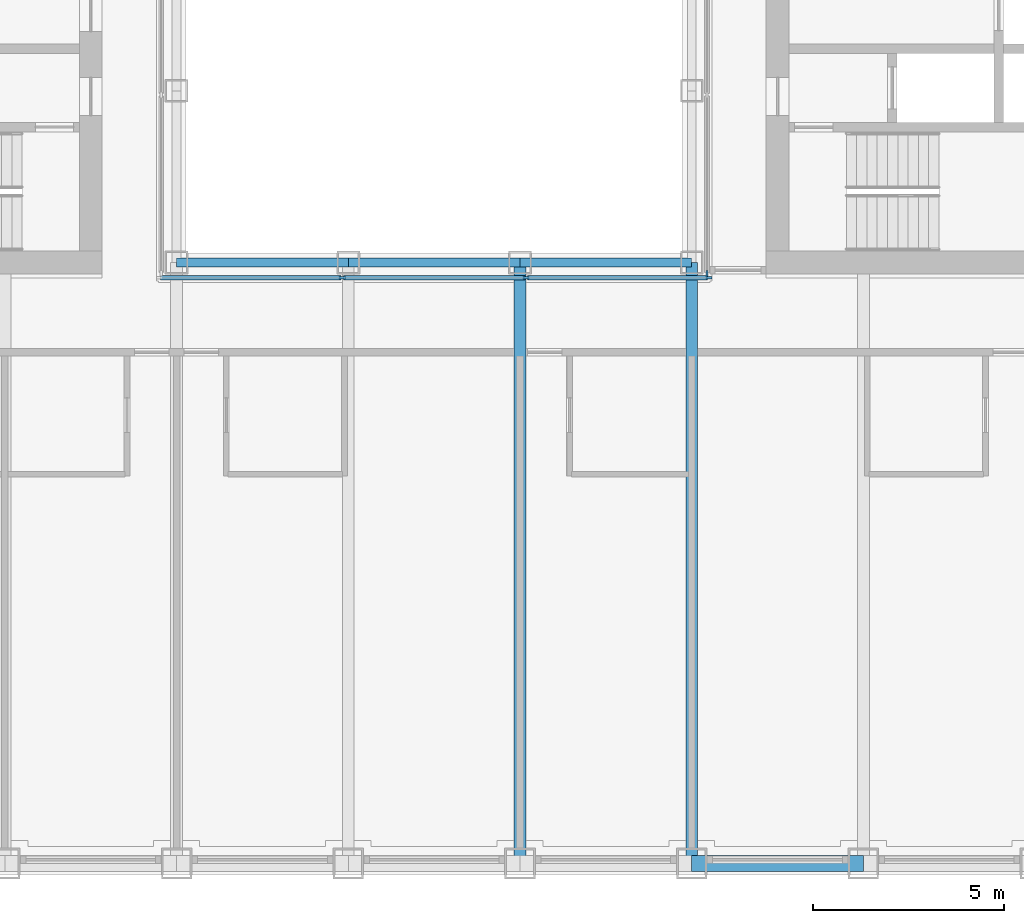
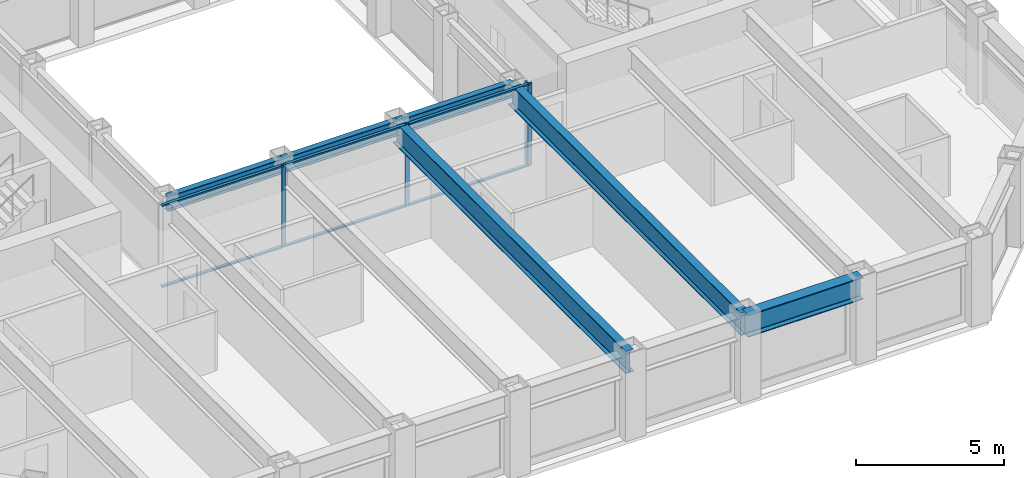
# One storey, part 3 of 17: 10 members, 6 beams, 2 elements without a shape of their own.
"""IFC4 building model written with IfcOpenShell, lengths in metres."""

import ifcopenshell
import ifcopenshell.guid

model = None  # the IFC model being written
_history = None  # IfcOwnerHistory: only IFC2X3 demands one
_inside = {}  # id of a spatial element -> (the spatial element, [elements in it])
_under = {}  # id of a project, library or spatial element -> (it, [spatial elements below it])
_declared = {}  # id of a project -> (the project, [libraries it declares])
_typed = {}  # id of a type object -> (the type object, [elements of that type])
_made_of = {}  # id of a material, layer set ... -> (it, [elements and type objects made of it])


def new_model(schema):
    """Start an empty IFC model of exactly this schema.

    Asked for "IFC4X3", IfcOpenShell would pick the latest addendum, in which some entities
    have other attributes; the version numbers below select the first issue.
    IFC2X3 requires an IfcOwnerHistory on every rooted entity: one is made here for all.
    """
    global model, _history
    if schema == "IFC4X3":
        model = ifcopenshell.file(schema_version=(4, 3, 0, 0))
    else:
        model = ifcopenshell.file(schema=schema)
    _inside.clear()
    _under.clear()
    _declared.clear()
    _typed.clear()
    _made_of.clear()
    _history = None
    if model.schema == "IFC2X3":
        org = make("IfcOrganization", Name="unknown")
        user = make(
            "IfcPersonAndOrganization",
            ThePerson=make("IfcPerson", FamilyName="unknown"),
            TheOrganization=org,
        )
        app = make(
            "IfcApplication",
            ApplicationDeveloper=org,
            Version="unknown",
            ApplicationFullName="unknown",
            ApplicationIdentifier="unknown",
        )
        _history = make(
            "IfcOwnerHistory",
            OwningUser=user,
            OwningApplication=app,
            ChangeAction="ADDED",
            CreationDate=0,
        )
    return model


def make(cls, **values):
    """One entity of the class cls with the attributes given. An attribute that is None is left unset."""
    return model.create_entity(
        cls, **{name: value for name, value in values.items() if value is not None}
    )


def rooted(cls, **values):
    """An entity with a GlobalId (a new one), such as an element, a storey or a relation."""
    return make(cls, GlobalId=ifcopenshell.guid.new(), OwnerHistory=_history, **values)


def si_unit(unit_type, name, prefix=None):
    """IfcSIUnit, for example si_unit("LENGTHUNIT", "METRE", prefix="MILLI")."""
    return make("IfcSIUnit", UnitType=unit_type, Prefix=prefix, Name=name)


def assignment(units):
    """IfcUnitAssignment: the units of a project."""
    return None if units is None else make("IfcUnitAssignment", Units=units)


def point(xyz):
    """IfcCartesianPoint."""
    return None if xyz is None else make("IfcCartesianPoint", Coordinates=xyz)


def direction(xyz):
    """IfcDirection."""
    return None if xyz is None else make("IfcDirection", DirectionRatios=xyz)


def frame(location, z_axis=None, x_axis=None):
    """IfcAxis2Placement3D, a coordinate frame: its origin and axes. An axis left out is left unset."""
    return make(
        "IfcAxis2Placement3D",
        Location=point(location),
        Axis=direction(z_axis),
        RefDirection=direction(x_axis),
    )


def frame_2d(location, x_axis=None):
    """IfcAxis2Placement2D, a coordinate frame in the plane: its origin and x axis."""
    return make(
        "IfcAxis2Placement2D", Location=point(location), RefDirection=direction(x_axis)
    )


def origin():
    """The frame at (0, 0, 0) with its axes left unset."""
    return frame((0.0, 0.0, 0.0))


def origin_2d():
    """The frame at (0, 0) in the plane with its x axis left unset."""
    return frame_2d((0.0, 0.0))


def place(relative_to, where):
    """IfcLocalPlacement: puts the frame where relative to a parent placement (None: the world)."""
    return make(
        "IfcLocalPlacement", PlacementRelTo=relative_to, RelativePlacement=where
    )


def context(
    kind, dimensions, precision=None, world=None, true_north=None, identifier=None
):
    """IfcGeometricRepresentationContext, for example the 3D "Model" context."""
    return make(
        "IfcGeometricRepresentationContext",
        ContextIdentifier=identifier,
        ContextType=kind,
        CoordinateSpaceDimension=dimensions,
        Precision=precision,
        WorldCoordinateSystem=world,
        TrueNorth=true_north,
    )


def subcontext(parent, identifier, kind, view, scale=None):
    """IfcGeometricRepresentationSubContext, for example "Body" below "Model"."""
    return make(
        "IfcGeometricRepresentationSubContext",
        ContextIdentifier=identifier,
        ContextType=kind,
        ParentContext=parent,
        TargetScale=scale,
        TargetView=view,
    )


def project(units=None, contexts=None):
    """IfcProject with its units and contexts."""
    return rooted(
        "IfcProject",
        Name="project",
        RepresentationContexts=contexts,
        UnitsInContext=assignment(units),
    )


def spatial(cls, under=None, at=None, **own):
    """A site, building, storey or space (cls), placed at a placement, below another one or the project."""
    s = rooted(cls, ObjectPlacement=at, **own)
    if under is not None:
        _under.setdefault(under.id(), (under, []))[1].append(s)
    return s


def profile(cls, at=None, kind="AREA", **sizes):
    """A parametric profile (cls). Its sizes go by their IFC names, for example OverallWidth=200.0."""
    return make(cls, ProfileType=kind, Position=at, **sizes)


def rectangle(**sizes):
    """IfcRectangleProfileDef."""
    return profile("IfcRectangleProfileDef", **sizes)


def i_section(**sizes):
    """IfcIShapeProfileDef."""
    return profile("IfcIShapeProfileDef", **sizes)


def extrude(swept, where, along, depth):
    """IfcExtrudedAreaSolid: the profile swept, set in the frame where, extruded along a direction by depth."""
    return make(
        "IfcExtrudedAreaSolid",
        SweptArea=swept,
        Position=where,
        ExtrudedDirection=direction(along),
        Depth=depth,
    )


def shape(context_of_items, identifier, shape_type, items):
    """IfcShapeRepresentation: the items that make up one representation, for example the "Body"."""
    return make(
        "IfcShapeRepresentation",
        ContextOfItems=context_of_items,
        RepresentationIdentifier=identifier,
        RepresentationType=shape_type,
        Items=items,
    )


def material(Name=None, Category=None):
    """IfcMaterial."""
    return make("IfcMaterial", Name=Name, Category=Category)


def material_profile(
    of_material, cross_section, Name=None, Category=None, Priority=None
):
    """IfcMaterialProfile: a cross section and its material."""
    return make(
        "IfcMaterialProfile",
        Name=Name,
        Material=of_material,
        Profile=cross_section,
        Priority=Priority,
        Category=Category,
    )


def profile_set(profiles, Name=None, composite=None):
    """IfcMaterialProfileSet."""
    return make(
        "IfcMaterialProfileSet",
        Name=Name,
        MaterialProfiles=profiles,
        CompositeProfile=composite,
    )


def made_of(thing, what):
    """Note that an element or type object is made of a material, layer set ...; save() writes the relation."""
    if what is not None:
        _made_of.setdefault(what.id(), (what, []))[1].append(thing)
    return thing


def type_object(cls, material=None, **own):
    """A type object (cls), such as IfcWallType, which elements share."""
    return made_of(rooted(cls, **own), material)


def element(
    cls,
    number,
    at=None,
    inside=None,
    cuts=None,
    type_object=None,
    material=None,
    context=None,
    identifier="Body",
    shape_type=None,
    held_by="IfcProductDefinitionShape",
    body=None,
    shapes=None,
    **own,
):
    """One element of the class cls, such as IfcWall. Its Tag is "e" and its number.

    at: its placement. inside: the storey or other place that contains it. cuts: it is an
    opening in that element (IfcRelVoidsElement). A single representation is given by context,
    identifier, shape_type and body (its items); several are given by shapes. held_by: the class
    of the entity that holds the representations. save() writes the other relations.
    """
    e = rooted(cls, Tag="e%d" % number, ObjectPlacement=at, **own)
    if body is not None:
        shapes = [shape(context, identifier, shape_type, body)]
    if shapes is not None:
        e.Representation = make(held_by, Representations=shapes)
    if inside is not None:
        _inside.setdefault(inside.id(), (inside, []))[1].append(e)
    if cuts is not None:
        rooted(
            "IfcRelVoidsElement", RelatingBuildingElement=cuts, RelatedOpeningElement=e
        )
    if type_object is not None:
        _typed.setdefault(type_object.id(), (type_object, []))[1].append(e)
    return made_of(e, material)


def aggregate(whole, parts):
    """IfcRelAggregates: a whole, such as a stair, and the parts it consists of."""
    return rooted("IfcRelAggregates", RelatingObject=whole, RelatedObjects=parts)


def save(model, path):
    """Write the relations noted so far, then the file.

    IfcRelAggregates (storeys below a building ...), IfcRelContainedInSpatialStructure (elements
    in a storey), IfcRelDefinesByType, IfcRelAssociatesMaterial and IfcRelDeclares: one each for
    every whole, place, type object, material and project.
    """
    for whole, parts in _under.values():
        aggregate(whole, parts)
    for where, things in _inside.values():
        rooted(
            "IfcRelContainedInSpatialStructure",
            RelatedElements=things,
            RelatingStructure=where,
        )
    for kind, things in _typed.values():
        rooted("IfcRelDefinesByType", RelatedObjects=things, RelatingType=kind)
    for what, things in _made_of.values():
        rooted("IfcRelAssociatesMaterial", RelatedObjects=things, RelatingMaterial=what)
    for by, libraries in _declared.values():
        rooted("IfcRelDeclares", RelatingContext=by, RelatedDefinitions=libraries)
    model.write(path)


model = new_model("IFC4")

# Units and contexts
model_context = context("Model", 3, precision=1e-05, world=origin(), true_north=direction((0.0, 1.0)))
body_context = subcontext(model_context, "Body", "Model", "MODEL_VIEW")
ifc_project = project(units=[si_unit("LENGTHUNIT", "METRE"), si_unit("AREAUNIT", "SQUARE_METRE"), si_unit("VOLUMEUNIT", "CUBIC_METRE"), si_unit("PLANEANGLEUNIT", "RADIAN"), si_unit("MASSUNIT", "GRAM", prefix="KILO")], contexts=[model_context])

# Site, building, storey
site_placement = place(None, origin())
site = spatial("IfcSite", under=ifc_project, at=site_placement, CompositionType="ELEMENT")
building_placement = place(site_placement, origin())
building = spatial("IfcBuilding", under=site, at=building_placement, Name="Msasa Ring Tower", CompositionType="ELEMENT")
storey_placement = place(building_placement, frame((0.0, 0.0, 143.60009765625)))
storey = spatial("IfcBuildingStorey", under=building, at=storey_placement, Name="L37", CompositionType="ELEMENT", Elevation=143.60009765625)

# Curtain wall, members
ifc_material_1 = material(Name="Aluminium curtain wall with clear glass", Category="aluminium")
curtain_wall_type = type_object("IfcCurtainWallType", Name="CW-W LIGHT WELL CURTAIN WALL", PredefinedType="NOTDEFINED", material=ifc_material_1)
curtain_wall_1_placement = place(storey_placement, origin())
curtain_wall_1 = element("IfcCurtainWall", 1, at=curtain_wall_1_placement, inside=storey, type_object=curtain_wall_type, Name="Light well curtain wall S L37", PredefinedType="NOTDEFINED")
ifc_material_2 = material(Name="Aluminium mullion", Category="aluminium")
ifc_material_profile_1 = material_profile(ifc_material_2, rectangle(XDim=0.06005859375, YDim=0.159912109375, at=origin_2d()), Name="AL 60x160")
ifc_profile_set_1 = profile_set([ifc_material_profile_1], Name="Aluminium mullion")
member_type_1 = type_object("IfcMemberType", Name="CW-W MULLION 60x160", PredefinedType="MULLION", material=ifc_profile_set_1)
member_1_placement = place(storey_placement, frame((-2.409912109375, -7.14990234375, 0.0), z_axis=(0.0, 0.0, 1.0), x_axis=(0.0, 1.0, 0.0)))
member_1 = element("IfcMember", 2, at=member_1_placement, type_object=member_type_1, Name="CW-W mullion 2", PredefinedType="MULLION", context=body_context, shape_type="SweptSolid", body=[
    extrude(rectangle(XDim=0.06005859375, YDim=0.159912109375, at=origin_2d()), origin(), (0.0, 0.0, 1.0), 3.39990234375),
])
member_2_placement = place(storey_placement, frame((2.409912109375, -7.14990234375, 0.0), z_axis=(0.0, 0.0, 1.0), x_axis=(0.0, 1.0, 0.0)))
member_2 = element("IfcMember", 3, at=member_2_placement, type_object=member_type_1, Name="CW-W mullion 3", PredefinedType="MULLION", context=body_context, shape_type="SweptSolid", body=[
    extrude(rectangle(XDim=0.06005859375, YDim=0.159912109375, at=origin_2d()), origin(), (0.0, 0.0, 1.0), 3.39990234375),
])
member_3_placement = place(storey_placement, frame((7.199951171875, -7.14990234375, 0.0), z_axis=(0.0, 0.0, 1.0), x_axis=(0.0, 1.0, 0.0)))
member_3 = element("IfcMember", 4, at=member_3_placement, type_object=member_type_1, Name="CW-W mullion 4", PredefinedType="MULLION", context=body_context, shape_type="SweptSolid", body=[
    extrude(rectangle(XDim=0.06005859375, YDim=0.159912109375, at=origin_2d()), origin(), (0.0, 0.0, 1.0), 3.39990234375),
])

# Curtain wall, member
curtain_wall_2_placement = place(storey_placement, origin())
curtain_wall_2 = element("IfcCurtainWall", 5, at=curtain_wall_2_placement, inside=storey, type_object=curtain_wall_type, Name="Light well curtain wall E L37", PredefinedType="NOTDEFINED")
member_4_placement = place(storey_placement, frame((7.14990234375, -7.0400390625, 0.0), z_axis=(0.0, 0.0, 1.0), x_axis=(-1.0, 0.0, 0.0)))
member_4 = element("IfcMember", 6, at=member_4_placement, type_object=member_type_1, Name="CW-W mullion 1", PredefinedType="MULLION", context=body_context, shape_type="SweptSolid", body=[
    extrude(rectangle(XDim=0.06005859375, YDim=0.159912109375, at=origin_2d()), origin(), (0.0, 0.0, 1.0), 3.39990234375),
])
aggregate(curtain_wall_2, [member_4])

# Member
ifc_material_3 = material(Name="Aluminium transom", Category="aluminium")
ifc_material_profile_2 = material_profile(ifc_material_3, rectangle(XDim=0.1201171875, YDim=0.06005859375, at=origin_2d()), Name="AL 60x120")
ifc_profile_set_2 = profile_set([ifc_material_profile_2], Name="Aluminium transom")
member_type_2 = type_object("IfcMemberType", Name="CW-W TRANSOM 60x120", PredefinedType="USERDEFINED", material=ifc_profile_set_2)
member_5_placement = place(storey_placement, frame((-7.169921875, -7.14990234375, 0.02978515625), z_axis=(1.0, 0.0, 0.0), x_axis=(0.0, 1.0, 0.0)))
member_5 = element("IfcMember", 7, at=member_5_placement, type_object=member_type_2, Name="CW-W transom 1.1", ObjectType="TRANSOM", PredefinedType="USERDEFINED", context=body_context, shape_type="SweptSolid", body=[
    extrude(rectangle(XDim=0.1201171875, YDim=0.06005859375, at=origin_2d()), origin(), (0.0, 0.0, 1.0), 4.72998046875),
])

member_6_placement = place(storey_placement, frame((-7.169921875, -7.14990234375, 3.369873046875), z_axis=(1.0, 0.0, 0.0), x_axis=(0.0, 1.0, 0.0)))
member_6 = element("IfcMember", 8, at=member_6_placement, type_object=member_type_2, Name="CW-W transom 1.2", ObjectType="TRANSOM", PredefinedType="USERDEFINED", context=body_context, shape_type="SweptSolid", body=[
    extrude(rectangle(XDim=0.1201171875, YDim=0.06005859375, at=origin_2d()), origin(), (0.0, 0.0, 1.0), 4.72998046875),
])

member_7_placement = place(storey_placement, frame((-2.3798828125, -7.14990234375, 0.02978515625), z_axis=(1.0, 0.0, 0.0), x_axis=(0.0, 1.0, 0.0)))
member_7 = element("IfcMember", 9, at=member_7_placement, type_object=member_type_2, Name="CW-W transom 2.1", ObjectType="TRANSOM", PredefinedType="USERDEFINED", context=body_context, shape_type="SweptSolid", body=[
    extrude(rectangle(XDim=0.1201171875, YDim=0.06005859375, at=origin_2d()), origin(), (0.0, 0.0, 1.0), 4.759765625),
])

member_8_placement = place(storey_placement, frame((-2.3798828125, -7.14990234375, 3.369873046875), z_axis=(1.0, 0.0, 0.0), x_axis=(0.0, 1.0, 0.0)))
member_8 = element("IfcMember", 10, at=member_8_placement, type_object=member_type_2, Name="CW-W transom 2.2", ObjectType="TRANSOM", PredefinedType="USERDEFINED", context=body_context, shape_type="SweptSolid", body=[
    extrude(rectangle(XDim=0.1201171875, YDim=0.06005859375, at=origin_2d()), origin(), (0.0, 0.0, 1.0), 4.759765625),
])

member_9_placement = place(storey_placement, frame((2.43994140625, -7.14990234375, 0.02978515625), z_axis=(1.0, 0.0, 0.0), x_axis=(0.0, 1.0, 0.0)))
member_9 = element("IfcMember", 11, at=member_9_placement, type_object=member_type_2, Name="CW-W transom 3.1", ObjectType="TRANSOM", PredefinedType="USERDEFINED", context=body_context, shape_type="SweptSolid", body=[
    extrude(rectangle(XDim=0.1201171875, YDim=0.06005859375, at=origin_2d()), origin(), (0.0, 0.0, 1.0), 4.72998046875),
])

member_10_placement = place(storey_placement, frame((2.43994140625, -7.14990234375, 3.369873046875), z_axis=(1.0, 0.0, 0.0), x_axis=(0.0, 1.0, 0.0)))
member_10 = element("IfcMember", 12, at=member_10_placement, type_object=member_type_2, Name="CW-W transom 3.2", ObjectType="TRANSOM", PredefinedType="USERDEFINED", context=body_context, shape_type="SweptSolid", body=[
    extrude(rectangle(XDim=0.1201171875, YDim=0.06005859375, at=origin_2d()), origin(), (0.0, 0.0, 1.0), 4.72998046875),
])

aggregate(curtain_wall_1, [member_1, member_2, member_3, member_5, member_6, member_7, member_8, member_9, member_10])

# Beams
ifc_material_4 = material(Name="Steel S355", Category="steel")
ifc_material_profile_3 = material_profile(ifc_material_4, i_section(OverallWidth=0.3076171875, OverallDepth=0.926513671875, WebThickness=0.01953125, FlangeThickness=0.031982421875, FilletRadius=0.01904296875, at=origin_2d()), Name="UB 914x305x289")
ifc_profile_set_3 = profile_set([ifc_material_profile_3], Name="Steel S355")
beam_type_1 = type_object("IfcBeamType", Name="FB3 UB 914x305x289", PredefinedType="BEAM", material=ifc_profile_set_3)
for number, where, z_axis, x_axis, name in (
    (13, (2.25, -22.5, 2.9365234375), (0.0, 1.0, 0.0), (-1.0, 0.0, 0.0), "Floor beam S+2.25 under L38"),
    (14, (6.75, -22.5, 2.9365234375), (0.0, 1.0, 0.0), (-1.0, 0.0, 0.0), "Floor beam S+6.75 under L38"),
):
    element("IfcBeam", number, at=place(storey_placement, frame(where, z_axis=z_axis, x_axis=x_axis)), inside=storey, type_object=beam_type_1, Name=name, PredefinedType="BEAM", context=body_context, shape_type="SweptSolid", body=[
        extrude(i_section(OverallWidth=0.3076171875, OverallDepth=0.926513671875, WebThickness=0.01953125, FlangeThickness=0.031982421875, FilletRadius=0.01904296875, at=origin_2d()), origin(), (0.0, 0.0, 1.0), 15.75),
    ])
ifc_material_5 = material(Name="Steel S355", Category="steel")
ifc_material_profile_4 = material_profile(ifc_material_5, i_section(OverallWidth=0.230224609375, OverallDepth=0.6171875, WebThickness=0.01318359375, FlangeThickness=0.022216796875, FilletRadius=0.0126953125, at=origin_2d()), Name="UB 610x229x140")
ifc_profile_set_4 = profile_set([ifc_material_profile_4], Name="Steel S355")
beam_type_2 = type_object("IfcBeamType", Name="RB1 UB 610x229x140", PredefinedType="BEAM", material=ifc_profile_set_4)
for number, where, z_axis, x_axis, name in (
    (15, (-6.75, -6.75, 3.09130859375), (1.0, 0.0, 0.0), (0.0, 1.0, 0.0), "Inner ring beam IR-6.75-6.75 under L38"),
    (16, (-2.25, -6.75, 3.09130859375), (1.0, 0.0, 0.0), (0.0, 1.0, 0.0), "Inner ring beam IR-2.25-6.75 under L38"),
    (17, (2.25, -6.75, 3.09130859375), (1.0, 0.0, 0.0), (0.0, 1.0, 0.0), "Inner ring beam IR+2.25-6.75 under L38"),
):
    element("IfcBeam", number, at=place(storey_placement, frame(where, z_axis=z_axis, x_axis=x_axis)), inside=storey, type_object=beam_type_2, Name=name, PredefinedType="BEAM", context=body_context, shape_type="SweptSolid", body=[
        extrude(i_section(OverallWidth=0.230224609375, OverallDepth=0.6171875, WebThickness=0.01318359375, FlangeThickness=0.022216796875, FilletRadius=0.0126953125, at=origin_2d()), origin(), (0.0, 0.0, 1.0), 4.5),
    ])
ifc_material_6 = material(Name="Steel S355", Category="steel")
ifc_material_profile_5 = material_profile(ifc_material_6, i_section(OverallWidth=0.42041015625, OverallDepth=0.9208984375, WebThickness=0.021484375, FlangeThickness=0.03662109375, FilletRadius=0.024169921875, at=origin_2d()), Name="UB 914x419x388")
ifc_profile_set_5 = profile_set([ifc_material_profile_5], Name="Steel S355")
beam_type_3 = type_object("IfcBeamType", Name="SB1 UB 914x419x388", PredefinedType="SPANDREL", material=ifc_profile_set_5)
beam_placement = place(storey_placement, frame((6.75, -22.5, 2.939453125), z_axis=(1.0, 0.0, 0.0), x_axis=(0.0, 1.0, 0.0)))
element("IfcBeam", 18, at=beam_placement, inside=storey, type_object=beam_type_3, Name="Spandrel S+6.75 to S+11.25 under L38", PredefinedType="SPANDREL", context=body_context, shape_type="SweptSolid", body=[
    extrude(i_section(OverallWidth=0.42041015625, OverallDepth=0.9208984375, WebThickness=0.021484375, FlangeThickness=0.03662109375, FilletRadius=0.024169921875, at=origin_2d()), origin(), (0.0, 0.0, 1.0), 4.5),
])

save(model, "model.ifc")
